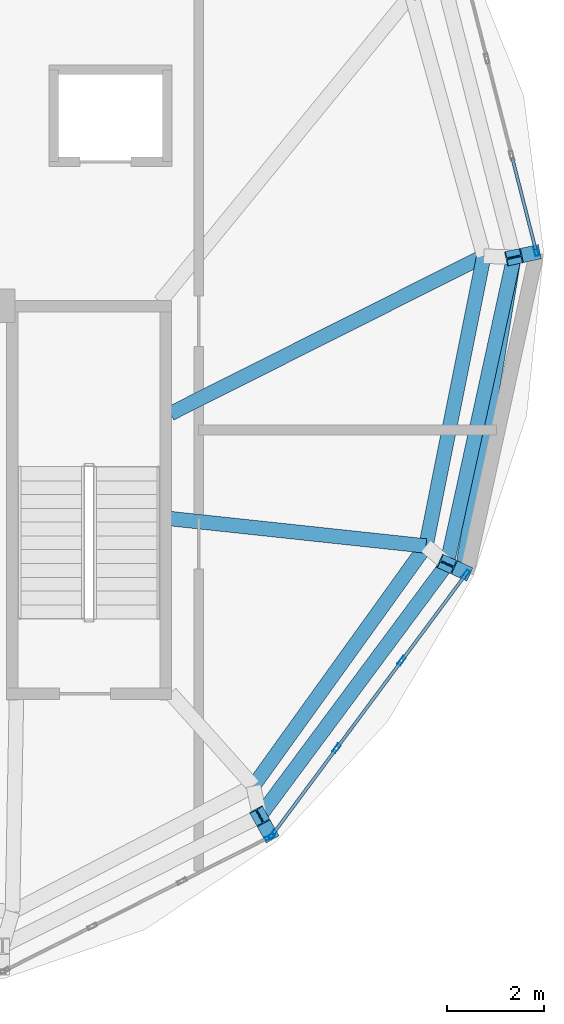
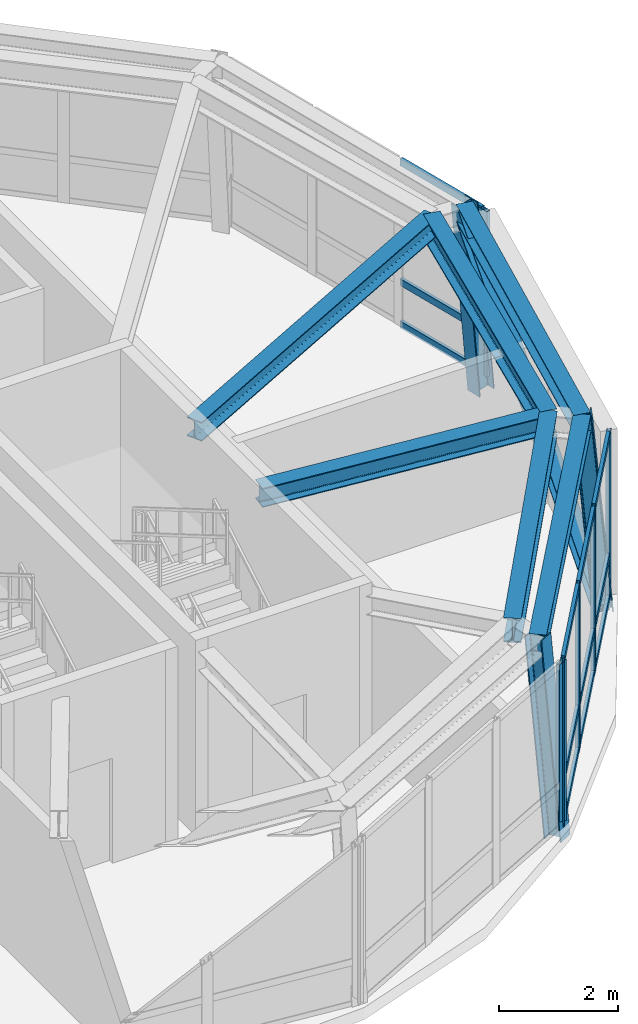
# One storey, part 4 of 9: 22 members, 6 beams, 3 elements without a shape of their own.
"""IFC4 building model written with IfcOpenShell, lengths in metres."""

from ifc_helpers import new_model, si_unit, direction, frame, origin, origin_2d, place, context, subcontext, project, spatial, hollow_rectangle, i_section, extrude, material, layer, layer_set, material_profile, profile_set, type_object, element, aggregate, save


model = new_model("IFC4")

# Units and contexts
model_context = context("Model", 3, precision=1e-05, world=origin(), true_north=direction((0.0, 1.0)))
body_context = subcontext(model_context, "Body", "Model", "MODEL_VIEW")
ifc_project = project(units=[si_unit("LENGTHUNIT", "METRE"), si_unit("AREAUNIT", "SQUARE_METRE"), si_unit("VOLUMEUNIT", "CUBIC_METRE"), si_unit("PLANEANGLEUNIT", "RADIAN"), si_unit("MASSUNIT", "GRAM", prefix="KILO"), si_unit("THERMODYNAMICTEMPERATUREUNIT", "KELVIN"), si_unit("POWERUNIT", "WATT")], contexts=[model_context])

# Site, building, storey
site_placement = place(None, origin())
site = spatial("IfcSite", under=ifc_project, at=site_placement, CompositionType="ELEMENT")
building_placement = place(site_placement, origin())
building = spatial("IfcBuilding", under=site, at=building_placement, Name="Ocrelia Relay Tower", CompositionType="ELEMENT")
storey_placement = place(building_placement, frame((0.0, 0.0, 300.0)))
storey = spatial("IfcBuildingStorey", under=building, at=storey_placement, Name="L75", CompositionType="ELEMENT", Elevation=300.0)

# Beams
ifc_material_1 = material(Name="Steel S355", Category="steel")
ifc_material_profile_1 = material_profile(ifc_material_1, i_section(OverallWidth=0.300048828125, OverallDepth=0.35009765625, WebThickness=0.010009765625, FlangeThickness=0.017578125, FilletRadius=0.027099609375, at=origin_2d()), Name="HEA 360")
ifc_profile_set_1 = profile_set([ifc_material_profile_1], Name="Steel S355")
beam_type_1 = type_object("IfcBeamType", Name="BM-HEA360", PredefinedType="SPANDREL", material=ifc_profile_set_1)
beam_1_placement = place(storey_placement, frame((39.4130859375, 16.563232421875, 3.574951171875), z_axis=(0.596150293366, 0.802872859, 0.0), x_axis=(-0.802872859, 0.596150293366, 0.0)))
element("IfcBeam", 1, at=beam_1_placement, inside=storey, type_object=beam_type_1, Name="L75 Crown Faceted Ring Beam R09", PredefinedType="SPANDREL", context=body_context, shape_type="SweptSolid", body=[
    extrude(i_section(OverallWidth=0.300048828125, OverallDepth=0.35009765625, WebThickness=0.010009765625, FlangeThickness=0.017578125, FilletRadius=0.027099609375, at=origin_2d()), origin(), (0.0, 0.0, 1.0), 6.49560546875),
])
beam_2_placement = place(storey_placement, frame((43.285400390625, 21.7783203125, 3.574951171875), z_axis=(0.213116192428, 0.977026861721, 0.0), x_axis=(-0.977026861721, 0.213116192428, 0.0)))
element("IfcBeam", 2, at=beam_2_placement, inside=storey, type_object=beam_type_1, Name="L75 Crown Faceted Ring Beam R10", PredefinedType="SPANDREL", context=body_context, shape_type="SweptSolid", body=[
    extrude(i_section(OverallWidth=0.300048828125, OverallDepth=0.35009765625, WebThickness=0.010009765625, FlangeThickness=0.017578125, FilletRadius=0.027099609375, at=origin_2d()), origin(), (0.0, 0.0, 1.0), 6.495361328125),
])
ifc_material_profile_2 = material_profile(ifc_material_1, i_section(OverallWidth=0.300048828125, OverallDepth=0.389892578125, WebThickness=0.010986328125, FlangeThickness=0.01904296875, FilletRadius=0.027099609375, at=origin_2d()), Name="HEA 400")
ifc_profile_set_2 = profile_set([ifc_material_profile_2], Name="Steel S355")
beam_type_2 = type_object("IfcBeamType", Name="BM-HEA400", PredefinedType="SPANDREL", material=ifc_profile_set_2)
beam_3_placement = place(storey_placement, frame((42.849609375, 22.152099609375, 3.554931640625), z_axis=(-0.994315060838, 0.106477977965, 0.0), x_axis=(-0.106477977965, -0.994315060838, 0.0)))
element("IfcBeam", 3, at=beam_3_placement, inside=storey, type_object=beam_type_2, Name="L75 Crown Radial Floor Beam 10", PredefinedType="SPANDREL", context=body_context, shape_type="SweptSolid", body=[
    extrude(i_section(OverallWidth=0.300048828125, OverallDepth=0.389892578125, WebThickness=0.010986328125, FlangeThickness=0.01904296875, FilletRadius=0.027099609375, at=origin_2d()), origin(), (0.0, 0.0, 1.0), 5.31494140625),
])
beam_4_placement = place(storey_placement, frame((44.04638671875, 28.14697265625, 3.554931640625), z_axis=(-0.893577377121, -0.448909201396, 0.0), x_axis=(0.448909201396, -0.893577377121, 0.0)))
element("IfcBeam", 4, at=beam_4_placement, inside=storey, type_object=beam_type_2, Name="L75 Crown Radial Floor Beam 11", PredefinedType="SPANDREL", context=body_context, shape_type="SweptSolid", body=[
    extrude(i_section(OverallWidth=0.300048828125, OverallDepth=0.389892578125, WebThickness=0.010986328125, FlangeThickness=0.01904296875, FilletRadius=0.027099609375, at=origin_2d()), origin(), (0.0, 0.0, 1.0), 7.25341796875),
])
ifc_material_profile_3 = material_profile(ifc_material_1, i_section(OverallWidth=0.300048828125, OverallDepth=0.5, WebThickness=0.014404296875, FlangeThickness=0.028076171875, FilletRadius=0.027099609375, at=origin_2d()), Name="HEB 500")
ifc_profile_set_3 = profile_set([ifc_material_profile_3], Name="Steel S355")
beam_type_3 = type_object("IfcBeamType", Name="BM-HEB500", PredefinedType="BEAM", material=ifc_profile_set_3)
for number, where, z_axis, x_axis, name in (
    (5, (39.281494140625, 17.188232421875, 3.5), (0.583672255313, 0.811989346222, 0.0), (-0.811989346222, 0.583672255313, 0.0), "L75 Crown Step Perimeter Ring Beam SR09"),
    (6, (42.849609375, 22.152099609375, 3.5), (0.195770515466, 0.980649736284, 0.0), (-0.980649736284, 0.195770515466, 0.0), "L75 Crown Step Perimeter Ring Beam SR10"),
):
    element("IfcBeam", number, at=place(storey_placement, frame(where, z_axis=z_axis, x_axis=x_axis)), inside=storey, type_object=beam_type_3, Name=name, PredefinedType="BEAM", context=body_context, shape_type="SweptSolid", body=[
        extrude(i_section(OverallWidth=0.300048828125, OverallDepth=0.5, WebThickness=0.014404296875, FlangeThickness=0.028076171875, FilletRadius=0.027099609375, at=origin_2d()), origin(), (0.0, 0.0, 1.0), 6.11328125),
    ])

# Curtain wall, member
ifc_material_2 = material(Name="Aluminium and solar-control low-E glass", Category="aluminium")
ifc_layer = layer(ifc_material_2, 0.179931640625, Name="Aluminium and solar-control low-E glass")
ifc_layer_set = layer_set([ifc_layer], Name="Aluminium and solar-control low-E glass")
curtain_wall_type = type_object("IfcCurtainWallType", Name="CW-SYS-CROWN-PT", PredefinedType="NOTDEFINED", material=ifc_layer_set)
curtain_wall_1_placement = place(storey_placement, origin())
curtain_wall_1 = element("IfcCurtainWall", 7, at=curtain_wall_1_placement, inside=storey, type_object=curtain_wall_type, Name="L75 Faceted Glass-Point Crown Curtain Wall 08", PredefinedType="NOTDEFINED")
ifc_material_3 = material(Name="Anodised bronze aluminium", Category="aluminium")
ifc_material_profile_4 = material_profile(ifc_material_3, hollow_rectangle(XDim=0.074951171875, YDim=0.199951171875, WallThickness=0.006103515625, at=origin_2d()), Name="CW-MUL-200x75")
ifc_profile_set_4 = profile_set([ifc_material_profile_4], Name="Anodised bronze aluminium")
member_type_1 = type_object("IfcMemberType", Name="CW-SYS-CROWN-PT-MUL", PredefinedType="MULLION", material=ifc_profile_set_4)
member_1_placement = place(storey_placement, frame((39.62060546875, 16.134765625, 0.0), z_axis=(0.0, 0.0, 1.0), x_axis=(-0.450232414421, 0.892911402663, 0.0)))
member_1 = element("IfcMember", 8, at=member_1_placement, type_object=member_type_1, Name="CW-CR mullion 4", PredefinedType="MULLION", context=body_context, shape_type="SweptSolid", body=[
    extrude(hollow_rectangle(XDim=0.074951171875, YDim=0.199951171875, WallThickness=0.006103515625, at=origin_2d()), origin(), (0.0, 0.0, 1.0), 3.389892578125),
])
aggregate(curtain_wall_1, [member_1])

# Curtain wall, members
curtain_wall_2_placement = place(storey_placement, origin())
curtain_wall_2 = element("IfcCurtainWall", 9, at=curtain_wall_2_placement, inside=storey, type_object=curtain_wall_type, Name="L75 Faceted Glass-Point Crown Curtain Wall 09", PredefinedType="NOTDEFINED")
member_2_placement = place(storey_placement, frame((39.67626953125, 16.181884765625, 0.0), z_axis=(0.0, 0.0, 1.0), x_axis=(-0.80277674331, 0.596279716576, 0.0)))
member_2 = element("IfcMember", 10, at=member_2_placement, type_object=member_type_1, Name="CW-CR mullion 1", PredefinedType="MULLION", context=body_context, shape_type="SweptSolid", body=[
    extrude(hollow_rectangle(XDim=0.074951171875, YDim=0.199951171875, WallThickness=0.006103515625, at=origin_2d()), origin(), (0.0, 0.0, 1.0), 3.389892578125),
])
member_3_placement = place(storey_placement, frame((41.0009765625, 17.965087890625, 0.0), z_axis=(0.0, 0.0, 1.0), x_axis=(-0.80277674331, 0.596279716576, 0.0)))
member_3 = element("IfcMember", 11, at=member_3_placement, type_object=member_type_1, Name="CW-CR mullion 2", PredefinedType="MULLION", context=body_context, shape_type="SweptSolid", body=[
    extrude(hollow_rectangle(XDim=0.074951171875, YDim=0.199951171875, WallThickness=0.006103515625, at=origin_2d()), origin(), (0.0, 0.0, 1.0), 3.389892578125),
])
member_4_placement = place(storey_placement, frame((42.347900390625, 19.778564453125, 0.0), z_axis=(0.0, 0.0, 1.0), x_axis=(-0.80277674331, 0.596279716576, 0.0)))
member_4 = element("IfcMember", 12, at=member_4_placement, type_object=member_type_1, Name="CW-CR mullion 3", PredefinedType="MULLION", context=body_context, shape_type="SweptSolid", body=[
    extrude(hollow_rectangle(XDim=0.074951171875, YDim=0.199951171875, WallThickness=0.006103515625, at=origin_2d()), origin(), (0.0, 0.0, 1.0), 3.389892578125),
])
member_5_placement = place(storey_placement, frame((43.672607421875, 21.56201171875, 0.0), z_axis=(0.0, 0.0, 1.0), x_axis=(-0.80277674331, 0.596279716576, 0.0)))
member_5 = element("IfcMember", 13, at=member_5_placement, type_object=member_type_1, Name="CW-CR mullion 4", PredefinedType="MULLION", context=body_context, shape_type="SweptSolid", body=[
    extrude(hollow_rectangle(XDim=0.074951171875, YDim=0.199951171875, WallThickness=0.006103515625, at=origin_2d()), origin(), (0.0, 0.0, 1.0), 3.389892578125),
])

# Curtain wall, member
curtain_wall_3_placement = place(storey_placement, origin())
curtain_wall_3 = element("IfcCurtainWall", 14, at=curtain_wall_3_placement, inside=storey, type_object=curtain_wall_type, Name="L75 Faceted Glass-Point Crown Curtain Wall 11", PredefinedType="NOTDEFINED")
member_6_placement = place(storey_placement, frame((45.12890625, 28.249755859375, 0.0), z_axis=(0.0, 0.0, 1.0), x_axis=(-0.968839306988, -0.24769012341, 0.0)))
member_6 = element("IfcMember", 15, at=member_6_placement, type_object=member_type_1, Name="CW-CR mullion 1", PredefinedType="MULLION", context=body_context, shape_type="SweptSolid", body=[
    extrude(hollow_rectangle(XDim=0.074951171875, YDim=0.199951171875, WallThickness=0.006103515625, at=origin_2d()), origin(), (0.0, 0.0, 1.0), 3.389892578125),
])

# Member
ifc_material_profile_5 = material_profile(ifc_material_3, hollow_rectangle(XDim=0.06494140625, YDim=0.139892578125, WallThickness=0.0048828125, at=origin_2d()), Name="CW-TRN-140x65")
ifc_profile_set_5 = profile_set([ifc_material_profile_5], Name="Anodised bronze aluminium")
member_type_2 = type_object("IfcMemberType", Name="CW-SYS-CROWN-PT-TRN", PredefinedType="USERDEFINED", material=ifc_profile_set_5)
member_7_placement = place(storey_placement, frame((39.69873046875, 16.2119140625, 0.032470703125), z_axis=(0.596244419708, 0.802802959615, 0.0), x_axis=(-0.802802959615, 0.596244419708, 0.0)))
member_7 = element("IfcMember", 16, at=member_7_placement, type_object=member_type_2, Name="CW-CR transom 1.1", ObjectType="TRANSOM", PredefinedType="USERDEFINED", context=body_context, shape_type="SweptSolid", body=[
    extrude(hollow_rectangle(XDim=0.06494140625, YDim=0.139892578125, WallThickness=0.0048828125, at=origin_2d()), origin(), (0.0, 0.0, 1.0), 2.146484375),
])

member_8_placement = place(storey_placement, frame((39.69873046875, 16.2119140625, 0.89990234375), z_axis=(0.596244419708, 0.802802959615, 0.0), x_axis=(-0.802802959615, 0.596244419708, 0.0)))
member_8 = element("IfcMember", 17, at=member_8_placement, type_object=member_type_2, Name="CW-CR transom 1.2", ObjectType="TRANSOM", PredefinedType="USERDEFINED", context=body_context, shape_type="SweptSolid", body=[
    extrude(hollow_rectangle(XDim=0.06494140625, YDim=0.139892578125, WallThickness=0.0048828125, at=origin_2d()), origin(), (0.0, 0.0, 1.0), 2.146484375),
])

member_9_placement = place(storey_placement, frame((39.69873046875, 16.2119140625, 3.357421875), z_axis=(0.596244419708, 0.802802959615, 0.0), x_axis=(-0.802802959615, 0.596244419708, 0.0)))
member_9 = element("IfcMember", 18, at=member_9_placement, type_object=member_type_2, Name="CW-CR transom 1.3", ObjectType="TRANSOM", PredefinedType="USERDEFINED", context=body_context, shape_type="SweptSolid", body=[
    extrude(hollow_rectangle(XDim=0.06494140625, YDim=0.139892578125, WallThickness=0.0048828125, at=origin_2d()), origin(), (0.0, 0.0, 1.0), 2.146484375),
])

member_10_placement = place(storey_placement, frame((41.0234375, 17.9951171875, 0.032470703125), z_axis=(0.596237560512, 0.802808053918, 0.0), x_axis=(-0.802808053918, 0.596237560512, 0.0)))
member_10 = element("IfcMember", 19, at=member_10_placement, type_object=member_type_2, Name="CW-CR transom 2.1", ObjectType="TRANSOM", PredefinedType="USERDEFINED", context=body_context, shape_type="SweptSolid", body=[
    extrude(hollow_rectangle(XDim=0.06494140625, YDim=0.139892578125, WallThickness=0.0048828125, at=origin_2d()), origin(), (0.0, 0.0, 1.0), 2.18408203125),
])

member_11_placement = place(storey_placement, frame((41.0234375, 17.9951171875, 0.89990234375), z_axis=(0.596237560512, 0.802808053918, 0.0), x_axis=(-0.802808053918, 0.596237560512, 0.0)))
member_11 = element("IfcMember", 20, at=member_11_placement, type_object=member_type_2, Name="CW-CR transom 2.2", ObjectType="TRANSOM", PredefinedType="USERDEFINED", context=body_context, shape_type="SweptSolid", body=[
    extrude(hollow_rectangle(XDim=0.06494140625, YDim=0.139892578125, WallThickness=0.0048828125, at=origin_2d()), origin(), (0.0, 0.0, 1.0), 2.18408203125),
])

member_12_placement = place(storey_placement, frame((41.0234375, 17.9951171875, 3.357421875), z_axis=(0.596237560512, 0.802808053918, 0.0), x_axis=(-0.802808053918, 0.596237560512, 0.0)))
member_12 = element("IfcMember", 21, at=member_12_placement, type_object=member_type_2, Name="CW-CR transom 2.3", ObjectType="TRANSOM", PredefinedType="USERDEFINED", context=body_context, shape_type="SweptSolid", body=[
    extrude(hollow_rectangle(XDim=0.06494140625, YDim=0.139892578125, WallThickness=0.0048828125, at=origin_2d()), origin(), (0.0, 0.0, 1.0), 2.18408203125),
])

member_13_placement = place(storey_placement, frame((42.370361328125, 19.80859375, 0.032470703125), z_axis=(0.596244419708, 0.802802959615, 0.0), x_axis=(-0.802802959615, 0.596244419708, 0.0)))
member_13 = element("IfcMember", 22, at=member_13_placement, type_object=member_type_2, Name="CW-CR transom 3.1", ObjectType="TRANSOM", PredefinedType="USERDEFINED", context=body_context, shape_type="SweptSolid", body=[
    extrude(hollow_rectangle(XDim=0.06494140625, YDim=0.139892578125, WallThickness=0.0048828125, at=origin_2d()), origin(), (0.0, 0.0, 1.0), 2.146484375),
])

member_14_placement = place(storey_placement, frame((42.370361328125, 19.80859375, 0.89990234375), z_axis=(0.596244419708, 0.802802959615, 0.0), x_axis=(-0.802802959615, 0.596244419708, 0.0)))
member_14 = element("IfcMember", 23, at=member_14_placement, type_object=member_type_2, Name="CW-CR transom 3.2", ObjectType="TRANSOM", PredefinedType="USERDEFINED", context=body_context, shape_type="SweptSolid", body=[
    extrude(hollow_rectangle(XDim=0.06494140625, YDim=0.139892578125, WallThickness=0.0048828125, at=origin_2d()), origin(), (0.0, 0.0, 1.0), 2.146484375),
])

member_15_placement = place(storey_placement, frame((42.370361328125, 19.80859375, 3.357421875), z_axis=(0.596244419708, 0.802802959615, 0.0), x_axis=(-0.802802959615, 0.596244419708, 0.0)))
member_15 = element("IfcMember", 24, at=member_15_placement, type_object=member_type_2, Name="CW-CR transom 3.3", ObjectType="TRANSOM", PredefinedType="USERDEFINED", context=body_context, shape_type="SweptSolid", body=[
    extrude(hollow_rectangle(XDim=0.06494140625, YDim=0.139892578125, WallThickness=0.0048828125, at=origin_2d()), origin(), (0.0, 0.0, 1.0), 2.146484375),
])

aggregate(curtain_wall_2, [member_2, member_3, member_4, member_5, member_7, member_8, member_9, member_10, member_11, member_12, member_13, member_14, member_15])

member_16_placement = place(storey_placement, frame((45.11962890625, 28.2861328125, 0.032470703125), z_axis=(-0.247803366406, 0.968810348622, 0.0), x_axis=(-0.968810348622, -0.247803366406, 0.0)))
member_16 = element("IfcMember", 25, at=member_16_placement, type_object=member_type_2, Name="CW-CR transom 1.1", ObjectType="TRANSOM", PredefinedType="USERDEFINED", context=body_context, shape_type="SweptSolid", body=[
    extrude(hollow_rectangle(XDim=0.06494140625, YDim=0.139892578125, WallThickness=0.0048828125, at=origin_2d()), origin(), (0.0, 0.0, 1.0), 1.961669921875),
])

member_17_placement = place(storey_placement, frame((45.11962890625, 28.2861328125, 0.89990234375), z_axis=(-0.247803366406, 0.968810348622, 0.0), x_axis=(-0.968810348622, -0.247803366406, 0.0)))
member_17 = element("IfcMember", 26, at=member_17_placement, type_object=member_type_2, Name="CW-CR transom 1.2", ObjectType="TRANSOM", PredefinedType="USERDEFINED", context=body_context, shape_type="SweptSolid", body=[
    extrude(hollow_rectangle(XDim=0.06494140625, YDim=0.139892578125, WallThickness=0.0048828125, at=origin_2d()), origin(), (0.0, 0.0, 1.0), 1.961669921875),
])

member_18_placement = place(storey_placement, frame((45.11962890625, 28.2861328125, 3.357421875), z_axis=(-0.247803366406, 0.968810348622, 0.0), x_axis=(-0.968810348622, -0.247803366406, 0.0)))
member_18 = element("IfcMember", 27, at=member_18_placement, type_object=member_type_2, Name="CW-CR transom 1.3", ObjectType="TRANSOM", PredefinedType="USERDEFINED", context=body_context, shape_type="SweptSolid", body=[
    extrude(hollow_rectangle(XDim=0.06494140625, YDim=0.139892578125, WallThickness=0.0048828125, at=origin_2d()), origin(), (0.0, 0.0, 1.0), 1.961669921875),
])

aggregate(curtain_wall_3, [member_6, member_16, member_17, member_18])

# Members
ifc_material_profile_6 = material_profile(ifc_material_1, i_section(OverallWidth=0.300048828125, OverallDepth=0.300048828125, WebThickness=0.010986328125, FlangeThickness=0.01904296875, FilletRadius=0.027099609375, at=origin_2d()), Name="HEB 300")
ifc_profile_set_6 = profile_set([ifc_material_profile_6], Name="Steel S355")
member_type_3 = type_object("IfcMemberType", Name="MB-CROWN-DIAG", PredefinedType="BRACE", material=ifc_profile_set_6)
member_19_placement = place(storey_placement, frame((43.60400390625, 21.63330078125, -0.25), z_axis=(0.140048520143, 0.853060722463, 0.502666704484), x_axis=(-0.986790242937, 0.162003137145, 0.0)))
element("IfcMember", 28, at=member_19_placement, inside=storey, type_object=member_type_3, Name="L75 Crown Bracing Diagonal CD10", PredefinedType="BRACE", context=body_context, shape_type="SweptSolid", body=[
    extrude(i_section(OverallWidth=0.300048828125, OverallDepth=0.300048828125, WebThickness=0.010986328125, FlangeThickness=0.01904296875, FilletRadius=0.027099609375, at=origin_2d()), origin(), (0.0, 0.0, 1.0), 7.609375),
])
ifc_material_profile_7 = material_profile(ifc_material_1, i_section(OverallWidth=0.300048828125, OverallDepth=0.340087890625, WebThickness=0.011962890625, FlangeThickness=0.021484375, FilletRadius=0.027099609375, at=origin_2d()), Name="HEB 340")
ifc_profile_set_7 = profile_set([ifc_material_profile_7], Name="Steel S355")
member_type_4 = type_object("IfcMemberType", Name="MB-CROWN-RIB", PredefinedType="STRUT", material=ifc_profile_set_7)
member_20_placement = place(storey_placement, frame((39.595703125, 16.23291015625, -0.25), z_axis=(-0.045452394321, 0.082215360316, 0.995577578282), x_axis=(-0.875162256871, -0.483829540384, 0.0)))
element("IfcMember", 29, at=member_20_placement, inside=storey, type_object=member_type_4, Name="L75 Crown Faceted Structural Strut Rib CR09", PredefinedType="STRUT", context=body_context, shape_type="SweptSolid", body=[
    extrude(i_section(OverallWidth=0.300048828125, OverallDepth=0.340087890625, WebThickness=0.011962890625, FlangeThickness=0.021484375, FilletRadius=0.027099609375, at=origin_2d()), origin(), (0.0, 0.0, 1.0), 4.017822265625),
])
member_21_placement = place(storey_placement, frame((43.60400390625, 21.63330078125, -0.25), z_axis=(-0.079347609523, 0.036116842955, 0.996192516795), x_axis=(-0.414275806054, -0.910151392087, 0.0)))
element("IfcMember", 30, at=member_21_placement, inside=storey, type_object=member_type_4, Name="L75 Crown Faceted Structural Strut Rib CR10", PredefinedType="STRUT", context=body_context, shape_type="SweptSolid", body=[
    extrude(i_section(OverallWidth=0.300048828125, OverallDepth=0.340087890625, WebThickness=0.011962890625, FlangeThickness=0.021484375, FilletRadius=0.027099609375, at=origin_2d()), origin(), (0.0, 0.0, 1.0), 4.015380859375),
])
member_22_placement = place(storey_placement, frame((45.03857421875, 28.203857421875, -0.25), z_axis=(-0.091816498861, -0.019748750582, 0.995580090895), x_axis=(0.210280196686, -0.977641160591, 0.0)))
element("IfcMember", 31, at=member_22_placement, inside=storey, type_object=member_type_4, Name="L75 Crown Faceted Structural Strut Rib CR11", PredefinedType="STRUT", context=body_context, shape_type="SweptSolid", body=[
    extrude(i_section(OverallWidth=0.300048828125, OverallDepth=0.340087890625, WebThickness=0.011962890625, FlangeThickness=0.021484375, FilletRadius=0.027099609375, at=origin_2d()), origin(), (0.0, 0.0, 1.0), 4.017822265625),
])

save(model, "model.ifc")
